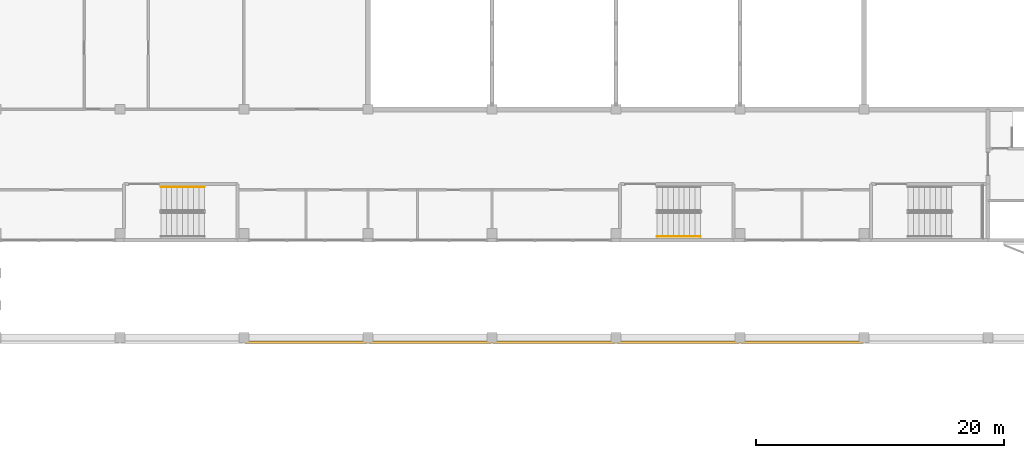
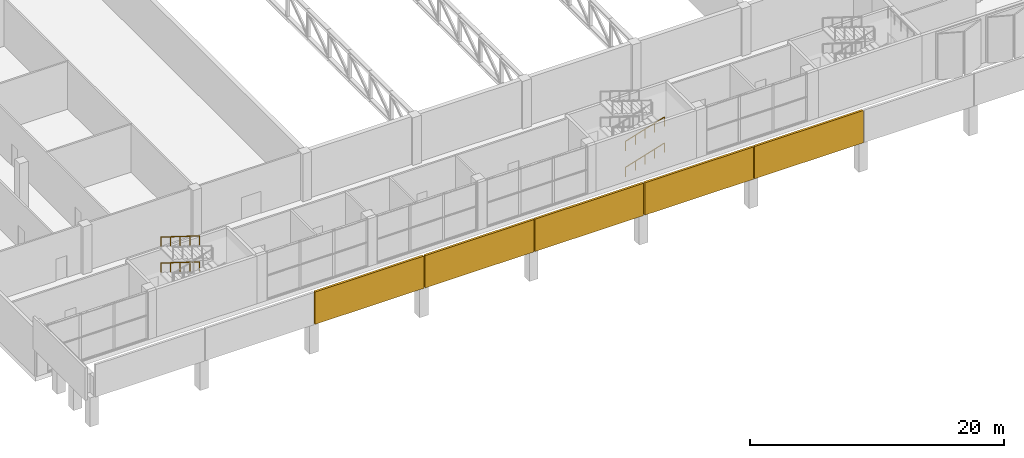
# One storey, part 30 of 36: 5 coverings, 4 railings.
"""IFC4 building model written with IfcOpenShell, lengths in metres."""

from ifc_helpers import new_model, si_unit, direction, frame, origin, origin_2d, place, context, subcontext, project, spatial, rectangle, circle, extrude, material, layer, layer_set, type_object, element, save


model = new_model("IFC4")

# Units and contexts
model_context = context("Model", 3, precision=1e-05, world=origin(), true_north=direction((0.0, 1.0)))
body_context = subcontext(model_context, "Body", "Model", "MODEL_VIEW")
ifc_project = project(units=[si_unit("LENGTHUNIT", "METRE"), si_unit("AREAUNIT", "SQUARE_METRE"), si_unit("VOLUMEUNIT", "CUBIC_METRE"), si_unit("PLANEANGLEUNIT", "RADIAN"), si_unit("MASSUNIT", "GRAM", prefix="KILO")], contexts=[model_context])

# Site, building, storey
site_placement = place(None, origin())
site = spatial("IfcSite", under=ifc_project, at=site_placement, CompositionType="ELEMENT")
building_placement = place(site_placement, origin())
building = spatial("IfcBuilding", under=site, at=building_placement, Name="Jabali Bay Hotel Tower and Convention Centre", CompositionType="ELEMENT")
storey_placement = place(building_placement, frame((0.0, 0.0, 20.39990234375)))
storey = spatial("IfcBuildingStorey", under=building, at=storey_placement, Name="L03", CompositionType="ELEMENT", Elevation=20.39990234375)

# Coverings
ifc_material_1 = material(Name="Precast concrete C40/50", Category="concrete")
ifc_layer = layer(ifc_material_1, 0.199951171875)
ifc_layer_set = layer_set([ifc_layer], Name="Precast concrete C40/50")
covering_type = type_object("IfcCoveringType", Name="CC South roof rim panel", PredefinedType="CLADDING", material=ifc_layer_set)
for number, where, z_axis, x_axis, name in (
    (1, (175.699951171875, 41.199951171875, 2.7900390625), (0.0, 0.0, 1.0), (1.0, 0.0, 0.0), "CC south roof rim 3"),
    (2, (185.699951171875, 41.199951171875, 2.7900390625), (0.0, 0.0, 1.0), (1.0, 0.0, 0.0), "CC south roof rim 4"),
    (3, (195.699951171875, 41.199951171875, 2.7900390625), (0.0, 0.0, 1.0), (1.0, 0.0, 0.0), "CC south roof rim 5"),
    (4, (205.699951171875, 41.199951171875, 2.7900390625), (0.0, 0.0, 1.0), (1.0, 0.0, 0.0), "CC south roof rim 6"),
    (5, (215.699951171875, 41.199951171875, 2.7900390625), (0.0, 0.0, 1.0), (1.0, 0.0, 0.0), "CC south roof rim 7"),
):
    element("IfcCovering", number, at=place(storey_placement, frame(where, z_axis=z_axis, x_axis=x_axis)), inside=storey, type_object=covering_type, Name=name, PredefinedType="CLADDING", context=body_context, shape_type="SweptSolid", body=[
        extrude(rectangle(XDim=9.89990234375, YDim=0.199951171875, at=origin_2d()), origin(), (0.0, 0.0, 1.0), 3.110107421875),
    ])

# Railings
ifc_material_2 = material(Name="Stainless steel 304", Category="steel")
railing_type = type_object("IfcRailingType", Name="CC Stair Handrail 900", PredefinedType="HANDRAIL", material=ifc_material_2)
for number, where, name in (
    (6, (167.52001953125, 53.75, 1.388916015625), "L03 CC-STS1 stair handrail 2"),
    (7, (167.52001953125, 53.75, 3.888916015625), "L03 CC-STS1 stair handrail 4"),
):
    element("IfcRailing", number, at=place(storey_placement, frame(where)), inside=storey, type_object=railing_type, Name=name, PredefinedType="HANDRAIL", context=body_context, shape_type="SweptSolid", body=[
        extrude(circle(Radius=0.02392578125, at=origin_2d()), frame((0.0, 0.0, 0.8759765625), z_axis=(-0.953621642043, 0.0, 0.301007913229), x_axis=(0.0, -1.0, 0.0)), (0.0, 0.0, 1.0), 3.691162109375),
        extrude(circle(Radius=0.02099609375, at=origin_2d()), origin(), (0.0, 0.0, 1.0), 0.851806640625),
        extrude(circle(Radius=0.02099609375, at=origin_2d()), frame((-0.8798828125, 0.0, 0.27783203125)), (0.0, 0.0, 1.0), 0.851806640625),
        extrude(circle(Radius=0.02099609375, at=origin_2d()), frame((-1.760009765625, 0.0, 0.5556640625)), (0.0, 0.0, 1.0), 0.851806640625),
        extrude(circle(Radius=0.02099609375, at=origin_2d()), frame((-2.64013671875, 0.0, 0.833251953125)), (0.0, 0.0, 1.0), 0.851806640625),
        extrude(circle(Radius=0.02099609375, at=origin_2d()), frame((-3.52001953125, 0.0, 1.111083984375)), (0.0, 0.0, 1.0), 0.851806640625),
    ])
for number, where, name in (
    (8, (204.0, 49.75, 0.138916015625), "L03 CC-STS2 stair handrail 1"),
    (9, (204.0, 49.75, 2.638916015625), "L03 CC-STS2 stair handrail 3"),
):
    element("IfcRailing", number, at=place(storey_placement, frame(where)), inside=storey, type_object=railing_type, Name=name, PredefinedType="HANDRAIL", context=body_context, shape_type="SweptSolid", body=[
        extrude(circle(Radius=0.02392578125, at=origin_2d()), frame((0.0, 0.0, 0.8759765625), z_axis=(0.953621642043, 0.0, 0.301007913229), x_axis=(0.0, 1.0, 0.0)), (0.0, 0.0, 1.0), 3.691162109375),
        extrude(circle(Radius=0.02099609375, at=origin_2d()), origin(), (0.0, 0.0, 1.0), 0.851806640625),
        extrude(circle(Radius=0.02099609375, at=origin_2d()), frame((0.8798828125, 0.0, 0.27783203125)), (0.0, 0.0, 1.0), 0.851806640625),
        extrude(circle(Radius=0.02099609375, at=origin_2d()), frame((1.760009765625, 0.0, 0.5556640625)), (0.0, 0.0, 1.0), 0.851806640625),
        extrude(circle(Radius=0.02099609375, at=origin_2d()), frame((2.64013671875, 0.0, 0.833251953125)), (0.0, 0.0, 1.0), 0.851806640625),
        extrude(circle(Radius=0.02099609375, at=origin_2d()), frame((3.52001953125, 0.0, 1.111083984375)), (0.0, 0.0, 1.0), 0.851806640625),
    ])

save(model, "model.ifc")
